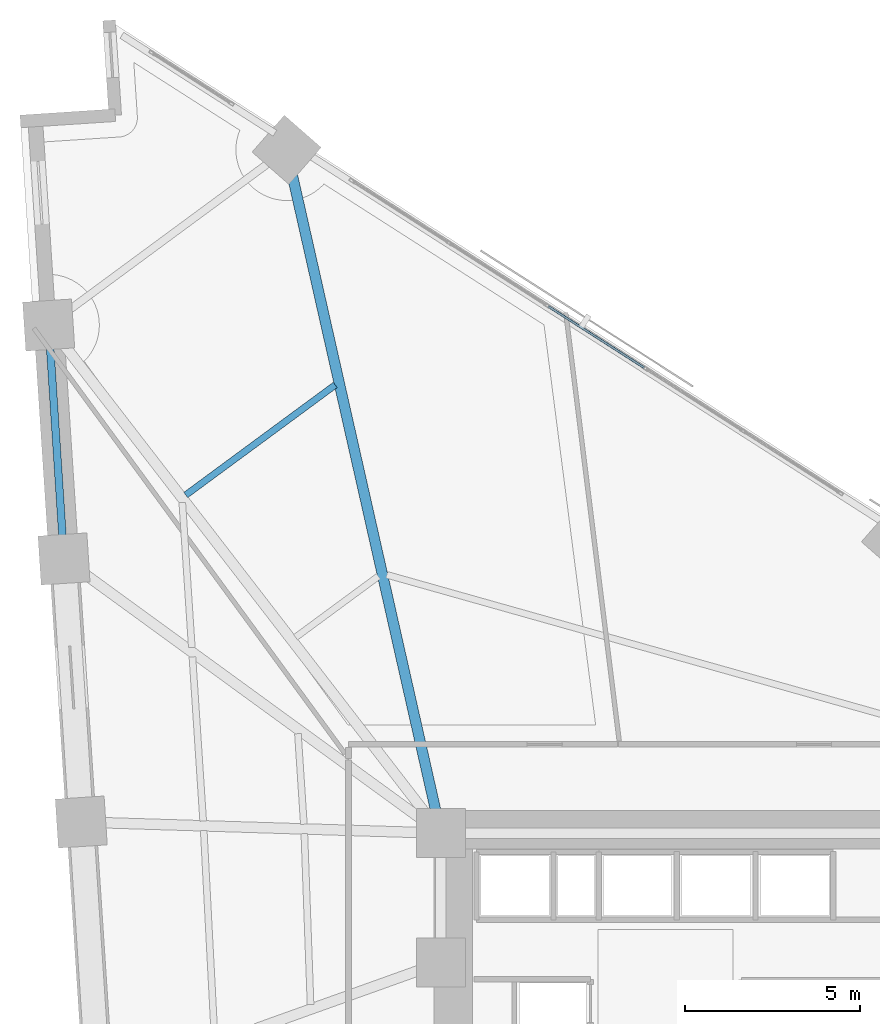
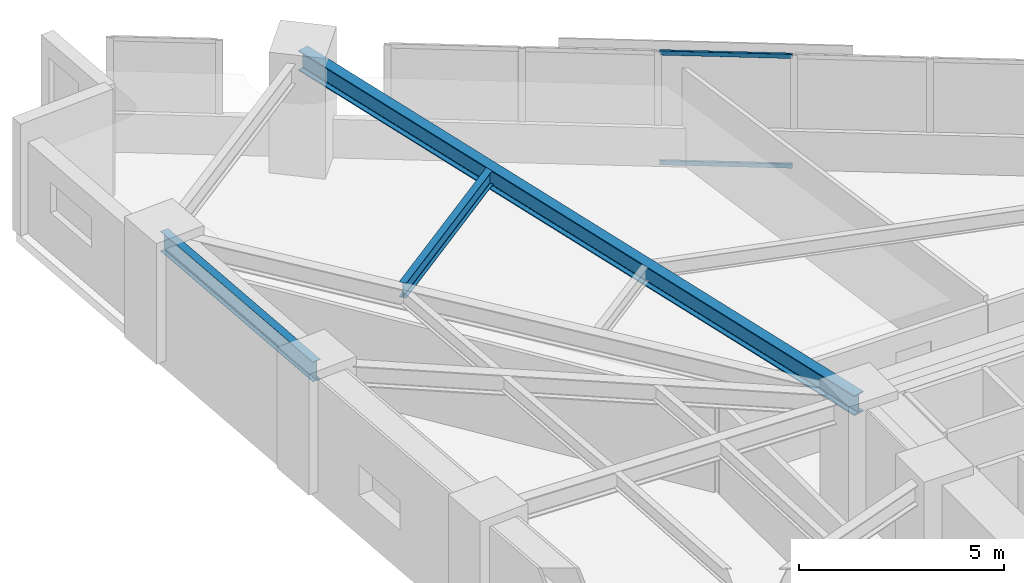
# One storey, part 8 of 16: 3 beams, 2 members, 1 element without a shape of its own.
"""IFC4 building model written with IfcOpenShell, lengths in metres."""

from ifc_helpers import new_model, si_unit, direction, frame, origin, origin_2d, place, context, subcontext, project, spatial, hollow_rectangle, i_section, extrude, material, material_profile, profile_set, type_object, element, aggregate, save


model = new_model("IFC4")

# Units and contexts
model_context = context("Model", 3, precision=1e-05, world=origin(), true_north=direction((0.0, 1.0)))
body_context = subcontext(model_context, "Body", "Model", "MODEL_VIEW")
ifc_project = project(units=[si_unit("LENGTHUNIT", "METRE"), si_unit("AREAUNIT", "SQUARE_METRE"), si_unit("VOLUMEUNIT", "CUBIC_METRE"), si_unit("PLANEANGLEUNIT", "RADIAN"), si_unit("MASSUNIT", "GRAM", prefix="KILO")], contexts=[model_context])

# Site, building, storey
site_placement = place(None, origin())
site = spatial("IfcSite", under=ifc_project, at=site_placement, CompositionType="ELEMENT")
building_placement = place(site_placement, origin())
building = spatial("IfcBuilding", under=site, at=building_placement, Name="Narakoshi Arena Tower", CompositionType="ELEMENT")
storey_placement = place(building_placement, frame((0.0, 0.0, 81.300048828125)))
storey = spatial("IfcBuildingStorey", under=building, at=storey_placement, Name="L21", CompositionType="ELEMENT", Elevation=81.300048828125)

# Beams
ifc_material_1 = material(Name="Structural steel S355J2", Category="steel")
ifc_material_profile_1 = material_profile(ifc_material_1, i_section(OverallWidth=0.219970703125, OverallDepth=0.60009765625, WebThickness=0.011962890625, FlangeThickness=0.01904296875, FilletRadius=0.02392578125, at=origin_2d()), Name="IPE600")
ifc_profile_set_1 = profile_set([ifc_material_profile_1], Name="Structural steel S355J2")
beam_type_1 = type_object("IfcBeamType", Name="BM-EDGE-600", PredefinedType="BEAM", material=ifc_profile_set_1)
beam_1_placement = place(storey_placement, frame((60.785400390625, 71.031005859375, 3.0400390625), z_axis=(0.065421350693, -0.997857728774, 0.0), x_axis=(0.997857728774, 0.065421350693, 0.0)))
element("IfcBeam", 1, at=beam_1_placement, inside=storey, type_object=beam_type_1, Name="L21 Perimeter Edge Girder 12", PredefinedType="BEAM", context=body_context, shape_type="SweptSolid", body=[
    extrude(i_section(OverallWidth=0.219970703125, OverallDepth=0.60009765625, WebThickness=0.011962890625, FlangeThickness=0.01904296875, FilletRadius=0.02392578125, at=origin_2d()), origin(), (0.0, 0.0, 1.0), 6.702392578125),
])
ifc_material_profile_2 = material_profile(ifc_material_1, i_section(OverallWidth=0.300048828125, OverallDepth=0.60009765625, WebThickness=0.015380859375, FlangeThickness=0.030029296875, FilletRadius=0.027099609375, at=origin_2d()), Name="HE600B")
ifc_profile_set_2 = profile_set([ifc_material_profile_2], Name="Structural steel S355J2")
beam_type_2 = type_object("IfcBeamType", Name="BM-PRI-600", PredefinedType="BEAM", material=ifc_profile_set_2)
beam_2_placement = place(storey_placement, frame((72.0, 56.5, 3.0400390625), z_axis=(-0.220123978285, 0.975471903329, 0.0), x_axis=(-0.975471903329, -0.220123978285, 0.0)))
element("IfcBeam", 2, at=beam_2_placement, inside=storey, type_object=beam_type_2, Name="L21 Radial Primary Floor Girder 11", PredefinedType="BEAM", context=body_context, shape_type="SweptSolid", body=[
    extrude(i_section(OverallWidth=0.300048828125, OverallDepth=0.60009765625, WebThickness=0.015380859375, FlangeThickness=0.030029296875, FilletRadius=0.027099609375, at=origin_2d()), origin(), (0.0, 0.0, 1.0), 20.034912109375),
])
ifc_material_profile_3 = material_profile(ifc_material_1, i_section(OverallWidth=0.18994140625, OverallDepth=0.449951171875, WebThickness=0.009521484375, FlangeThickness=0.0146484375, FilletRadius=0.02099609375, at=origin_2d()), Name="IPE450")
ifc_profile_set_3 = profile_set([ifc_material_profile_3], Name="Structural steel S355J2")
beam_type_3 = type_object("IfcBeamType", Name="BM-SEC-450", PredefinedType="JOIST", material=ifc_profile_set_3)
beam_3_placement = place(storey_placement, frame((68.980712890625, 69.318603515625, 3.114990234375), z_axis=(-0.805130974255, -0.593097053015, 0.0), x_axis=(0.593097053015, -0.805130974255, 0.0)))
element("IfcBeam", 3, at=beam_3_placement, inside=storey, type_object=beam_type_3, Name="L21 Composite Secondary Floor Joist 11", PredefinedType="JOIST", context=body_context, shape_type="SweptSolid", body=[
    extrude(i_section(OverallWidth=0.18994140625, OverallDepth=0.449951171875, WebThickness=0.009521484375, FlangeThickness=0.0146484375, FilletRadius=0.02099609375, at=origin_2d()), origin(), (0.0, 0.0, 1.0), 5.30810546875),
])

# Curtain wall, members
ifc_material_2 = material(Name="Anodised bronze aluminium 6063-T6", Category="aluminium")
curtain_wall_type = type_object("IfcCurtainWallType", Name="CW-HYP-LOW", PredefinedType="NOTDEFINED", material=ifc_material_2)
curtain_wall_placement = place(storey_placement, origin())
curtain_wall = element("IfcCurtainWall", 4, at=curtain_wall_placement, inside=storey, type_object=curtain_wall_type, Name="L21 Folded Hypotenuse Curtain Wall 2-2", PredefinedType="NOTDEFINED")
ifc_material_profile_4 = material_profile(ifc_material_2, hollow_rectangle(XDim=0.06494140625, YDim=0.1298828125, WallThickness=0.00390625, OuterFilletRadius=0.0048828125, at=origin_2d()), Name="TRN130x65x4")
ifc_profile_set_4 = profile_set([ifc_material_profile_4], Name="Anodised bronze aluminium 6063-T6")
member_type = type_object("IfcMemberType", Name="MEM-TRN-130", PredefinedType="USERDEFINED", material=ifc_profile_set_4)
member_1_placement = place(storey_placement, frame((77.81201171875, 69.813720703125, 0.032470703125), z_axis=(-0.842407668774, 0.5388407182, 0.0), x_axis=(-0.5388407182, -0.842407668774, 0.0)))
member_1 = element("IfcMember", 5, at=member_1_placement, type_object=member_type, Name="CW-01 transom 3.1", ObjectType="TRANSOM", PredefinedType="USERDEFINED", context=body_context, shape_type="SweptSolid", body=[
    extrude(hollow_rectangle(XDim=0.06494140625, YDim=0.1298828125, WallThickness=0.00390625, OuterFilletRadius=0.0048828125, at=origin_2d()), origin(), (0.0, 0.0, 1.0), 3.253173828125),
])
member_2_placement = place(storey_placement, frame((77.81201171875, 69.813720703125, 3.307373046875), z_axis=(-0.842407668774, 0.5388407182, 0.0), x_axis=(-0.5388407182, -0.842407668774, 0.0)))
member_2 = element("IfcMember", 6, at=member_2_placement, type_object=member_type, Name="CW-01 transom 3.2", ObjectType="TRANSOM", PredefinedType="USERDEFINED", context=body_context, shape_type="SweptSolid", body=[
    extrude(hollow_rectangle(XDim=0.06494140625, YDim=0.1298828125, WallThickness=0.00390625, OuterFilletRadius=0.0048828125, at=origin_2d()), origin(), (0.0, 0.0, 1.0), 3.253173828125),
])
aggregate(curtain_wall, [member_1, member_2])

save(model, "model.ifc")
